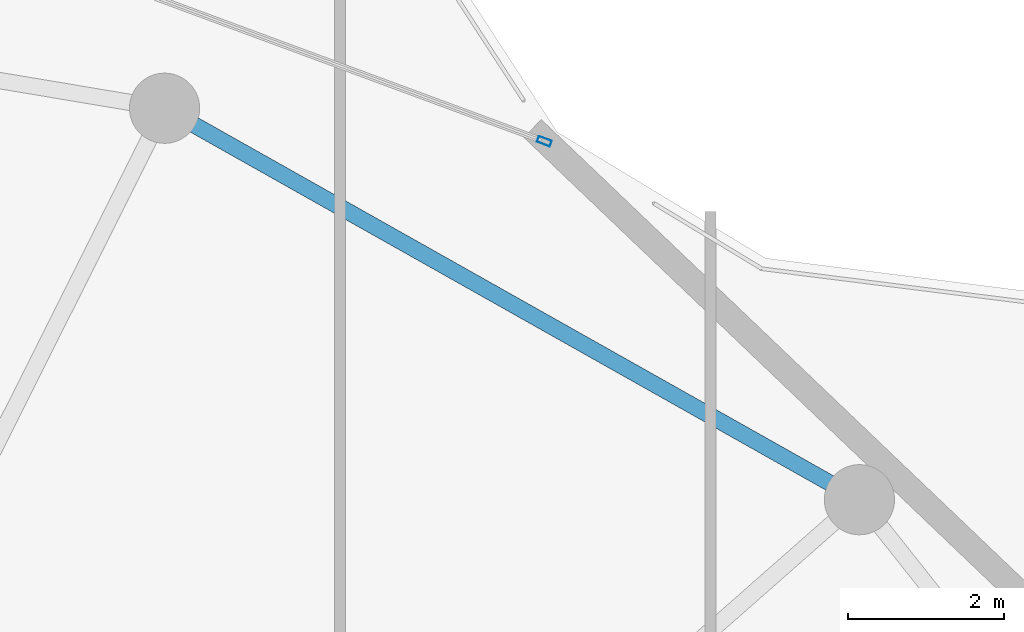
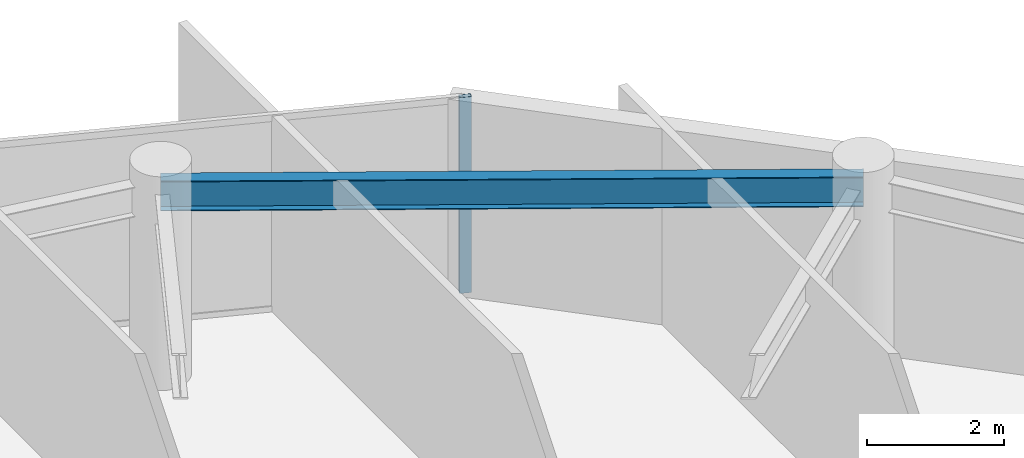
# One storey, part 22 of 29: 1 beam, 1 member, 1 element without a shape of its own.
"""IFC4 building model written with IfcOpenShell, lengths in metres."""

from ifc_helpers import new_model, si_unit, direction, frame, origin, origin_2d, place, context, subcontext, project, spatial, hollow_rectangle, i_section, extrude, material, layer, layer_set, material_profile, profile_set, type_object, element, aggregate, save


model = new_model("IFC4")

# Units and contexts
model_context = context("Model", 3, precision=1e-05, world=origin(), true_north=direction((0.0, 1.0)))
body_context = subcontext(model_context, "Body", "Model", "MODEL_VIEW")
ifc_project = project(units=[si_unit("LENGTHUNIT", "METRE"), si_unit("AREAUNIT", "SQUARE_METRE"), si_unit("VOLUMEUNIT", "CUBIC_METRE"), si_unit("PLANEANGLEUNIT", "RADIAN"), si_unit("MASSUNIT", "GRAM", prefix="KILO")], contexts=[model_context])

# Site, building, storey
site_placement = place(None, origin())
site = spatial("IfcSite", under=ifc_project, at=site_placement, CompositionType="ELEMENT")
building_placement = place(site_placement, origin())
building = spatial("IfcBuilding", under=site, at=building_placement, Name="Kazevale Care Tower and Concert Hall", CompositionType="ELEMENT")
storey_placement = place(building_placement, frame((0.0, 0.0, 289.0)))
storey = spatial("IfcBuildingStorey", under=building, at=storey_placement, Name="L76", CompositionType="ELEMENT", Elevation=289.0)

# Curtain wall, member
ifc_material_1 = material(Name="Aluminium 6063-T6 and Low-E Glass", Category="aluminium")
ifc_layer = layer(ifc_material_1, 0.179931640625)
ifc_layer_set = layer_set([ifc_layer], Name="Aluminium 6063-T6 and Low-E Glass")
curtain_wall_type = type_object("IfcCurtainWallType", Name="Convex Checkerboard Finned Curtain Wall CW-2", PredefinedType="NOTDEFINED", material=ifc_layer_set)
curtain_wall_placement = place(storey_placement, origin())
curtain_wall = element("IfcCurtainWall", 1, at=curtain_wall_placement, inside=storey, type_object=curtain_wall_type, Name="cw:L76:f16", PredefinedType="NOTDEFINED")
ifc_material_2 = material(Name="Aluminium 6063-T6", Category="aluminium")
ifc_material_profile_1 = material_profile(ifc_material_2, hollow_rectangle(XDim=0.080078125, YDim=0.179931640625, WallThickness=0.0048828125, at=origin_2d()), Name="ALU80x180x5")
ifc_profile_set_1 = profile_set([ifc_material_profile_1], Name="Aluminium 6063-T6")
member_type = type_object("IfcMemberType", Name="CW-2 Mullion ALU80x180x5", PredefinedType="MULLION", material=ifc_profile_set_1)
member_placement = place(storey_placement, frame((60.369384765625, 58.96484375, 0.0), z_axis=(0.0, 0.0, 1.0), x_axis=(0.346863695471, 0.937915548844, 0.0)))
member = element("IfcMember", 2, at=member_placement, type_object=member_type, Name="CW-2 mullion 2", PredefinedType="MULLION", context=body_context, shape_type="SweptSolid", body=[
    extrude(hollow_rectangle(XDim=0.080078125, YDim=0.179931640625, WallThickness=0.0048828125, at=origin_2d()), origin(), (0.0, 0.0, 1.0), 3.47998046875),
])
aggregate(curtain_wall, [member])

# Beam
ifc_material_3 = material(Name="Steel ASTM A572 Gr 50", Category="steel")
ifc_material_profile_2 = material_profile(ifc_material_3, i_section(OverallWidth=0.208984375, OverallDepth=0.532958984375, WebThickness=0.01025390625, FlangeThickness=0.015625, at=origin_2d()), Name="W530x92")
ifc_profile_set_2 = profile_set([ifc_material_profile_2], Name="Steel ASTM A572 Gr 50")
beam_type = type_object("IfcBeamType", Name="Upper Ring Beam W530x92", PredefinedType="BEAM", material=ifc_profile_set_2)
beam_placement = place(storey_placement, frame((64.409912109375, 54.3701171875, 3.21337890625), z_axis=(-0.871243170179, 0.490851646035, 0.0), x_axis=(-0.490851646035, -0.871243170179, 0.0)))
element("IfcBeam", 3, at=beam_placement, inside=storey, type_object=beam_type, Name="beam:L76:ring:03", PredefinedType="BEAM", context=body_context, shape_type="SweptSolid", body=[
    extrude(i_section(OverallWidth=0.208984375, OverallDepth=0.532958984375, WebThickness=0.01025390625, FlangeThickness=0.015625, at=origin_2d()), origin(), (0.0, 0.0, 1.0), 10.2265625),
])

save(model, "model.ifc")
